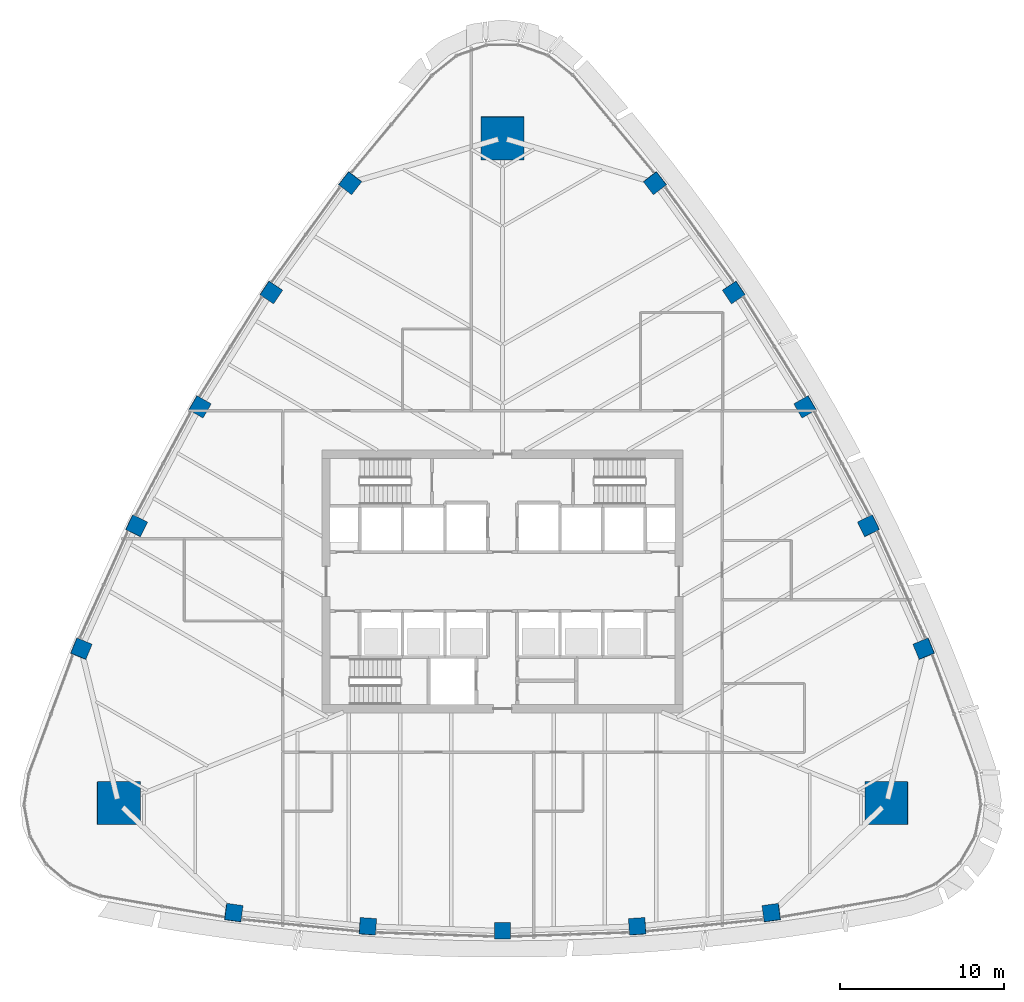
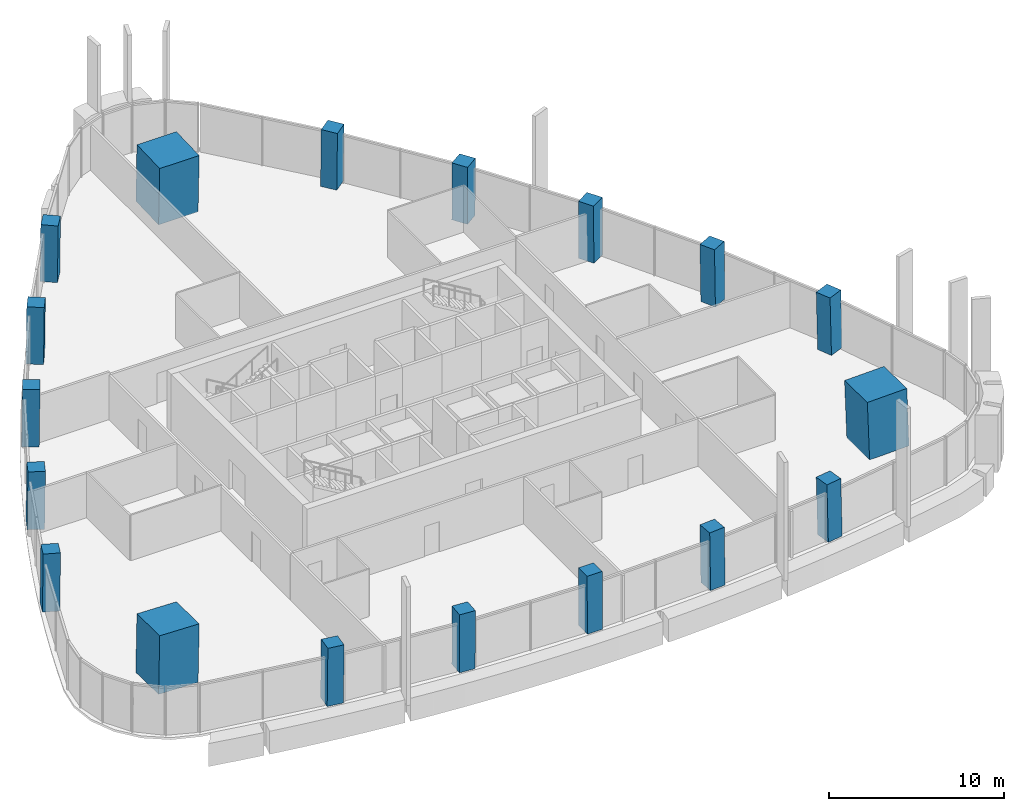
# One storey, part 1 of 19: 18 columns.
"""IFC4 building model written with IfcOpenShell, lengths in metres."""

from ifc_helpers import new_model, si_unit, direction, frame, origin, origin_2d, place, context, subcontext, project, spatial, rectangle, extrude, material, material_profile, profile_set, type_object, element, save


model = new_model("IFC4")

# Units and contexts
model_context = context("Model", 3, precision=1e-05, world=origin(), true_north=direction((0.0, 1.0)))
body_context = subcontext(model_context, "Body", "Model", "MODEL_VIEW")
ifc_project = project(units=[si_unit("LENGTHUNIT", "METRE"), si_unit("AREAUNIT", "SQUARE_METRE"), si_unit("VOLUMEUNIT", "CUBIC_METRE"), si_unit("PLANEANGLEUNIT", "RADIAN"), si_unit("MASSUNIT", "GRAM", prefix="KILO")], contexts=[model_context])

# Site, building, storey
site_placement = place(None, origin())
site = spatial("IfcSite", under=ifc_project, at=site_placement, CompositionType="ELEMENT")
building_placement = place(site_placement, origin())
building = spatial("IfcBuilding", under=site, at=building_placement, Name="Sierra Prisma Convention Tower", CompositionType="ELEMENT")
storey_placement = place(building_placement, frame((0.0, 0.0, 185.800048828125)))
storey = spatial("IfcBuildingStorey", under=building, at=storey_placement, Name="L41", CompositionType="ELEMENT", Elevation=185.800048828125)

# Columns
ifc_material_1 = material(Name="Concrete C60/75", Category="concrete")
ifc_material_profile_1 = material_profile(ifc_material_1, rectangle(XDim=2.60009765625, YDim=2.60009765625, at=origin_2d()), Name="Mega column RC 2600 C60/75")
ifc_profile_set_1 = profile_set([ifc_material_profile_1], Name="Concrete C60/75")
column_type_1 = type_object("IfcColumnType", Name="Mega column RC 2600 C60/75", PredefinedType="COLUMN", material=ifc_profile_set_1)
for number, where, z_axis, x_axis, name in (
    (1, (23.410888671875, -13.516357421875, 0.0), (-0.028000489904, 0.016165860184, 0.999477182096), (0.999607909415, 0.000452829555, 0.027996828039), "Mega column SE L41"),
    (2, (0.0, 27.03271484375, 0.0), (0.0, -0.032331720729, 0.999477193254), (1.0, 0.0, 0.0), "Mega column N L41"),
    (3, (-23.410888671875, -13.516357421875, 0.0), (0.028000489904, 0.016165860184, 0.999477182096), (0.999607909415, -0.000452829555, -0.027996828039), "Mega column SW L41"),
):
    element("IfcColumn", number, at=place(storey_placement, frame(where, z_axis=z_axis, x_axis=x_axis)), inside=storey, type_object=column_type_1, Name=name, PredefinedType="COLUMN", context=body_context, shape_type="SweptSolid", body=[
        extrude(rectangle(XDim=2.60009765625, YDim=2.60009765625, at=origin_2d()), origin(), (0.0, 0.0, 1.0), 4.002197265625),
    ])
ifc_material_2 = material(Name="Concrete C60/75", Category="concrete")
ifc_material_profile_2 = material_profile(ifc_material_2, rectangle(XDim=1.0, YDim=1.0, at=origin_2d()), Name="Perimeter column RC 1000 C60/75")
ifc_profile_set_2 = profile_set([ifc_material_profile_2], Name="Concrete C60/75")
column_type_2 = type_object("IfcColumnType", Name="Perimeter column RC 1000 C60/75", PredefinedType="COLUMN", material=ifc_profile_set_2)
column_1_placement = place(storey_placement, frame((-16.3955078125, -20.189208984375, 0.0), z_axis=(0.017635456472, 0.010434820265, 0.999790030557), x_axis=(-0.990707564841, 0.135057082861, 0.016065657048)))
element("IfcColumn", 4, at=column_1_placement, inside=storey, type_object=column_type_2, Name="Perimeter column S-1 L41", PredefinedType="COLUMN", context=body_context, shape_type="SweptSolid", body=[
    extrude(rectangle(XDim=1.0, YDim=1.0, at=origin_2d()), origin(), (0.0, 0.0, 1.0), 4.000732421875),
])
column_2_placement = place(storey_placement, frame((-8.216552734375, -21.02197265625, 0.0), z_axis=(0.008849199152, 0.01116829962, 0.999898475225), x_axis=(-0.99767373409, 0.067690026589, 0.008073450719)))
element("IfcColumn", 5, at=column_2_placement, inside=storey, type_object=column_type_2, Name="Perimeter column S-2 L41", PredefinedType="COLUMN", context=body_context, shape_type="SweptSolid", body=[
    extrude(rectangle(XDim=1.0, YDim=1.0, at=origin_2d()), origin(), (0.0, 0.0, 1.0), 4.00048828125),
])
column_3_placement = place(storey_placement, frame((0.0, -21.300048828125, 0.0), z_axis=(0.0, 0.01141283087, 0.999934871525), x_axis=(1.0, 0.0, 0.0)))
element("IfcColumn", 6, at=column_3_placement, inside=storey, type_object=column_type_2, Name="Perimeter column S-3 L41", PredefinedType="COLUMN", context=body_context, shape_type="SweptSolid", body=[
    extrude(rectangle(XDim=1.0, YDim=1.0, at=origin_2d()), origin(), (0.0, 0.0, 1.0), 4.000244140625),
])
column_4_placement = place(storey_placement, frame((8.216552734375, -21.02197265625, 0.0), z_axis=(-0.008849199152, 0.01116829962, 0.999898475225), x_axis=(0.99767373409, 0.067690026589, 0.008073450719)))
element("IfcColumn", 7, at=column_4_placement, inside=storey, type_object=column_type_2, Name="Perimeter column S-4 L41", PredefinedType="COLUMN", context=body_context, shape_type="SweptSolid", body=[
    extrude(rectangle(XDim=1.0, YDim=1.0, at=origin_2d()), origin(), (0.0, 0.0, 1.0), 4.00048828125),
])
for number, where, z_axis, x_axis, name in (
    (8, (16.3955078125, -20.189208984375, 0.0), (-0.017635456472, 0.010434820265, 0.999790030557), (0.990707564841, 0.135057082861, 0.016065657048), "Perimeter column S-5 L41"),
    (9, (25.68212890625, -4.104248046875, 0.0), (-0.0178795464, 0.010007664197, 0.999790062202), (-0.378559017413, 0.925438276421, -0.016033305019), "Perimeter column NE-1 L41"),
):
    element("IfcColumn", number, at=place(storey_placement, frame(where, z_axis=z_axis, x_axis=x_axis)), inside=storey, type_object=column_type_2, Name=name, PredefinedType="COLUMN", context=body_context, shape_type="SweptSolid", body=[
        extrude(rectangle(XDim=1.0, YDim=1.0, at=origin_2d()), origin(), (0.0, 0.0, 1.0), 4.000732421875),
    ])
column_5_placement = place(storey_placement, frame((22.313720703125, 3.395263671875, 0.0), z_axis=(-0.014097689605, 0.002074984617, 0.999898469639), x_axis=(-0.440273105663, 0.897827632309, -0.008070631525)))
element("IfcColumn", 10, at=column_5_placement, inside=storey, type_object=column_type_2, Name="Perimeter column NE-2 L41", PredefinedType="COLUMN", context=body_context, shape_type="SweptSolid", body=[
    extrude(rectangle(XDim=1.0, YDim=1.0, at=origin_2d()), origin(), (0.0, 0.0, 1.0), 4.00048828125),
])
column_6_placement = place(storey_placement, frame((18.4462890625, 10.64990234375, 0.0), z_axis=(-0.009887052741, -0.005675900648, 0.999935013058), x_axis=(-0.49997556095, 0.866039512773, -2.7732311e-05)))
element("IfcColumn", 11, at=column_6_placement, inside=storey, type_object=column_type_2, Name="Perimeter column NE-3 L41", PredefinedType="COLUMN", context=body_context, shape_type="SweptSolid", body=[
    extrude(rectangle(XDim=1.0, YDim=1.0, at=origin_2d()), origin(), (0.0, 0.0, 1.0), 4.000244140625),
])
column_7_placement = place(storey_placement, frame((14.097412109375, 17.626708984375, 0.0), z_axis=(-0.005309518067, -0.013243280697, 0.999898207086), x_axis=(-0.557388079448, 0.83021319548, 0.008036102326)))
element("IfcColumn", 12, at=column_7_placement, inside=storey, type_object=column_type_2, Name="Perimeter column NE-4 L41", PredefinedType="COLUMN", context=body_context, shape_type="SweptSolid", body=[
    extrude(rectangle(XDim=1.0, YDim=1.0, at=origin_2d()), origin(), (0.0, 0.0, 1.0), 4.00048828125),
])
for number, where, z_axis, x_axis, name in (
    (13, (9.28662109375, 24.29345703125, 0.0), (-0.000244089295, -0.02050350076, 0.999789751336), (-0.612242101739, 0.790507190226, 0.016062100068), "Perimeter column NE-5 L41"),
    (14, (-9.28662109375, 24.29345703125, 0.0), (0.000244089295, -0.02050350076, 0.999789751336), (0.612242101739, 0.790507190226, 0.016062100068), "Perimeter column NW-1 L41"),
):
    element("IfcColumn", number, at=place(storey_placement, frame(where, z_axis=z_axis, x_axis=x_axis)), inside=storey, type_object=column_type_2, Name=name, PredefinedType="COLUMN", context=body_context, shape_type="SweptSolid", body=[
        extrude(rectangle(XDim=1.0, YDim=1.0, at=origin_2d()), origin(), (0.0, 0.0, 1.0), 4.000732421875),
    ])
column_8_placement = place(storey_placement, frame((-14.097412109375, 17.626708984375, 0.0), z_axis=(0.005309518067, -0.013243280697, 0.999898207086), x_axis=(0.557388079448, 0.83021319548, 0.008036102326)))
element("IfcColumn", 15, at=column_8_placement, inside=storey, type_object=column_type_2, Name="Perimeter column NW-2 L41", PredefinedType="COLUMN", context=body_context, shape_type="SweptSolid", body=[
    extrude(rectangle(XDim=1.0, YDim=1.0, at=origin_2d()), origin(), (0.0, 0.0, 1.0), 4.00048828125),
])
column_9_placement = place(storey_placement, frame((-18.4462890625, 10.64990234375, 0.0), z_axis=(0.009887052741, -0.005675900648, 0.999935013058), x_axis=(0.49997556095, 0.866039512773, -2.7732311e-05)))
element("IfcColumn", 16, at=column_9_placement, inside=storey, type_object=column_type_2, Name="Perimeter column NW-3 L41", PredefinedType="COLUMN", context=body_context, shape_type="SweptSolid", body=[
    extrude(rectangle(XDim=1.0, YDim=1.0, at=origin_2d()), origin(), (0.0, 0.0, 1.0), 4.000244140625),
])
column_10_placement = place(storey_placement, frame((-22.313720703125, 3.395263671875, 0.0), z_axis=(0.014097689605, 0.002074984617, 0.999898469639), x_axis=(0.440273105663, 0.897827632309, -0.008070631525)))
element("IfcColumn", 17, at=column_10_placement, inside=storey, type_object=column_type_2, Name="Perimeter column NW-4 L41", PredefinedType="COLUMN", context=body_context, shape_type="SweptSolid", body=[
    extrude(rectangle(XDim=1.0, YDim=1.0, at=origin_2d()), origin(), (0.0, 0.0, 1.0), 4.00048828125),
])
column_11_placement = place(storey_placement, frame((-25.68212890625, -4.104248046875, 0.0), z_axis=(0.0178795464, 0.010007664197, 0.999790062202), x_axis=(0.378559017413, 0.925438276421, -0.016033305019)))
element("IfcColumn", 18, at=column_11_placement, inside=storey, type_object=column_type_2, Name="Perimeter column NW-5 L41", PredefinedType="COLUMN", context=body_context, shape_type="SweptSolid", body=[
    extrude(rectangle(XDim=1.0, YDim=1.0, at=origin_2d()), origin(), (0.0, 0.0, 1.0), 4.000732421875),
])

save(model, "model.ifc")
